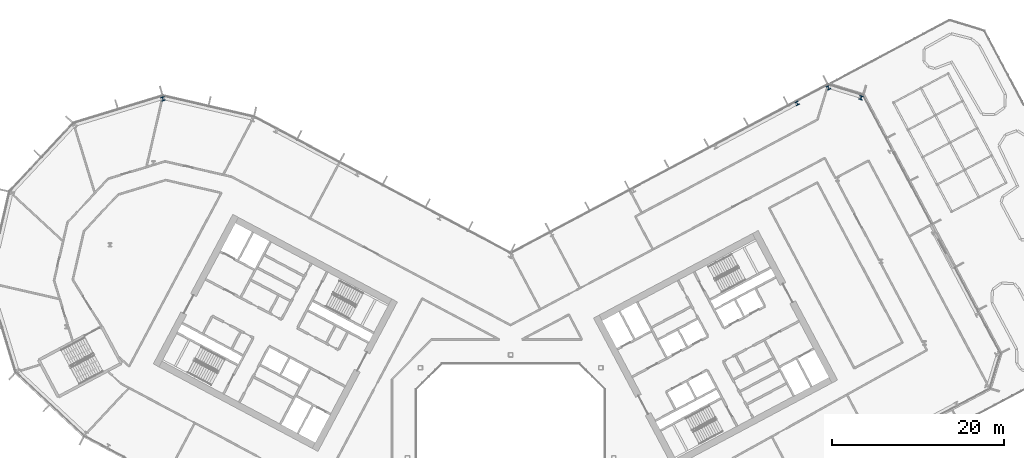
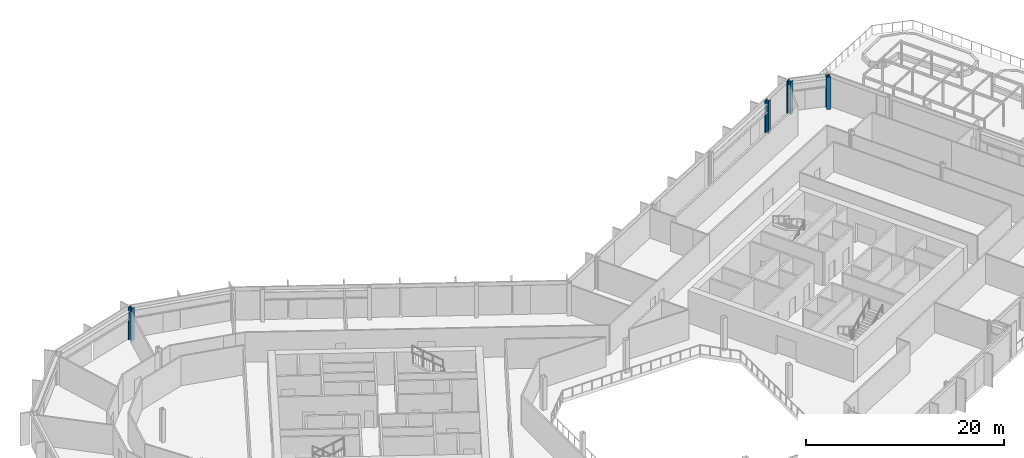
# One storey, part 8 of 34: 4 columns.
"""IFC4 building model written with IfcOpenShell, lengths in metres."""

from ifc_helpers import new_model, si_unit, direction, frame, origin, origin_2d, place, context, subcontext, project, spatial, i_section, extrude, material, material_profile, profile_set, type_object, element, save


model = new_model("IFC4")

# Units and contexts
model_context = context("Model", 3, precision=1e-05, world=origin(), true_north=direction((0.0, 1.0)))
body_context = subcontext(model_context, "Body", "Model", "MODEL_VIEW")
ifc_project = project(units=[si_unit("LENGTHUNIT", "METRE"), si_unit("AREAUNIT", "SQUARE_METRE"), si_unit("VOLUMEUNIT", "CUBIC_METRE"), si_unit("PLANEANGLEUNIT", "RADIAN"), si_unit("MASSUNIT", "GRAM", prefix="KILO")], contexts=[model_context])

# Site, building, storey
site_placement = place(None, origin())
site = spatial("IfcSite", under=ifc_project, at=site_placement, CompositionType="ELEMENT")
building_placement = place(site_placement, origin())
building = spatial("IfcBuilding", under=site, at=building_placement, Name="Cormorant Relay Tower", CompositionType="ELEMENT")
storey_placement = place(building_placement, frame((0.0, 0.0, 118.199951171875)))
storey = spatial("IfcBuildingStorey", under=building, at=storey_placement, Name="L23", CompositionType="ELEMENT", Elevation=118.199951171875)

# Columns
ifc_material_1 = material(Name="Steel ASTM A992 (Fy 345 MPa)", Category="steel")
ifc_material_profile_1 = material_profile(ifc_material_1, i_section(OverallWidth=0.41162109375, OverallDepth=0.434326171875, WebThickness=0.035888671875, FlangeThickness=0.057373046875, FilletRadius=0.01513671875, at=origin_2d()), Name="W360x463")
ifc_profile_set_1 = profile_set([ifc_material_profile_1], Name="Steel ASTM A992 (Fy 345 MPa)")
column_type_1 = type_object("IfcColumnType", Name="Column W360x463", PredefinedType="COLUMN", material=ifc_profile_set_1)
column_placement = place(storey_placement, frame((33.33203125, 41.258056640625, 0.0), z_axis=(0.0, 0.0, 1.0), x_axis=(-0.882947592859, -0.469471562786, 0.0)))
element("IfcColumn", 1, at=column_placement, inside=storey, type_object=column_type_1, Name="Column L23-047", PredefinedType="COLUMN", context=body_context, shape_type="SweptSolid", body=[
    extrude(i_section(OverallWidth=0.41162109375, OverallDepth=0.434326171875, WebThickness=0.035888671875, FlangeThickness=0.057373046875, FilletRadius=0.01513671875, at=origin_2d()), origin(), (0.0, 0.0, 1.0), 4.0),
])
ifc_material_2 = material(Name="Steel ASTM A992 (Fy 345 MPa)", Category="steel")
ifc_material_profile_2 = material_profile(ifc_material_2, i_section(OverallWidth=0.42431640625, OverallDepth=0.47509765625, WebThickness=0.0478515625, FlangeThickness=0.0771484375, FilletRadius=0.014892578125, at=origin_2d()), Name="W360x634")
ifc_profile_set_2 = profile_set([ifc_material_profile_2], Name="Steel ASTM A992 (Fy 345 MPa)")
column_type_2 = type_object("IfcColumnType", Name="Column W360x634", PredefinedType="COLUMN", material=ifc_profile_set_2)
for number, where, z_axis, x_axis, name in (
    (2, (-40.4541015625, 41.783935546875, 0.0), (0.0, 0.0, 1.0), (-0.956304755963, -0.292371704723, 0.0), "Column L23-048"),
    (3, (40.77197265625, 41.9130859375, 0.0), (0.0, 0.0, 1.0), (-0.956304755963, 0.292371704723, 0.0), "Column L23-049"),
    (4, (36.970947265625, 43.075927734375, 0.0), (0.0, 0.0, 1.0), (-0.882947592859, -0.469471562786, 0.0), "Column L23-050"),
):
    element("IfcColumn", number, at=place(storey_placement, frame(where, z_axis=z_axis, x_axis=x_axis)), inside=storey, type_object=column_type_2, Name=name, PredefinedType="COLUMN", context=body_context, shape_type="SweptSolid", body=[
        extrude(i_section(OverallWidth=0.42431640625, OverallDepth=0.47509765625, WebThickness=0.0478515625, FlangeThickness=0.0771484375, FilletRadius=0.014892578125, at=origin_2d()), origin(), (0.0, 0.0, 1.0), 4.0),
    ])

save(model, "model.ifc")
